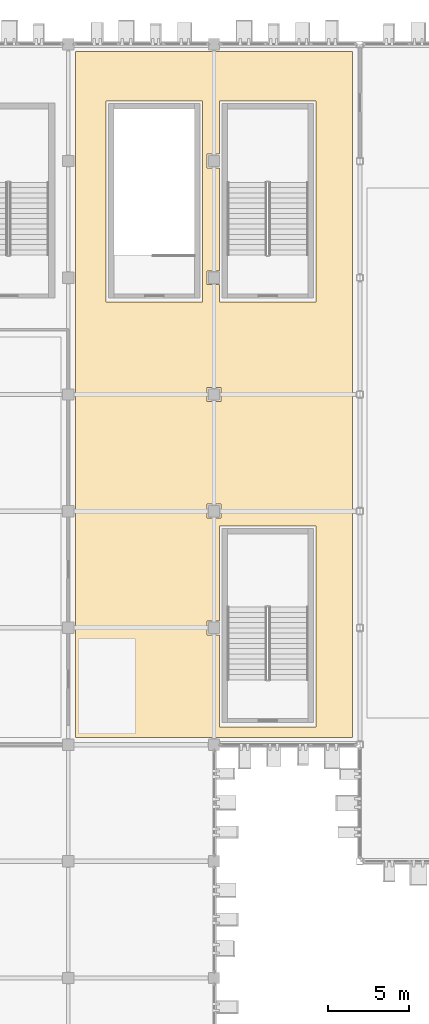
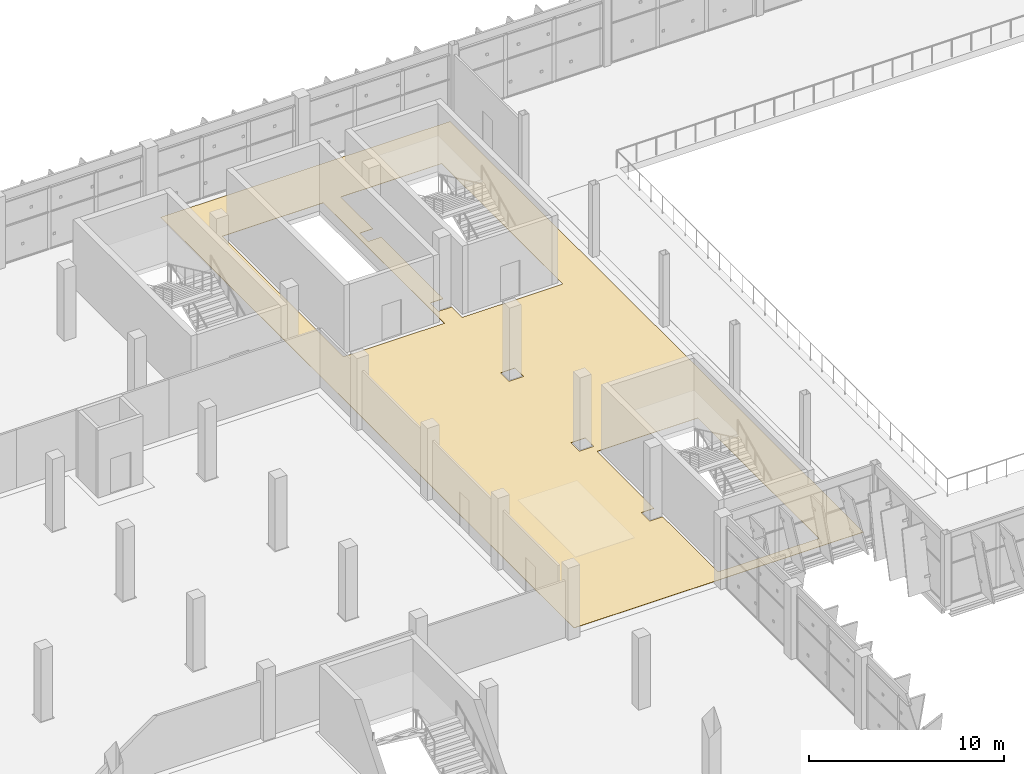
# One storey, part 148 of 151: 1 covering.
"""IFC4 building model written with IfcOpenShell, lengths in metres."""

import ifcopenshell
import ifcopenshell.guid

model = None  # the IFC model being written
_history = None  # IfcOwnerHistory: only IFC2X3 demands one
_inside = {}  # id of a spatial element -> (the spatial element, [elements in it])
_under = {}  # id of a project, library or spatial element -> (it, [spatial elements below it])
_declared = {}  # id of a project -> (the project, [libraries it declares])
_typed = {}  # id of a type object -> (the type object, [elements of that type])
_made_of = {}  # id of a material, layer set ... -> (it, [elements and type objects made of it])


def new_model(schema):
    """Start an empty IFC model of exactly this schema.

    Asked for "IFC4X3", IfcOpenShell would pick the latest addendum, in which some entities
    have other attributes; the version numbers below select the first issue.
    IFC2X3 requires an IfcOwnerHistory on every rooted entity: one is made here for all.
    """
    global model, _history
    if schema == "IFC4X3":
        model = ifcopenshell.file(schema_version=(4, 3, 0, 0))
    else:
        model = ifcopenshell.file(schema=schema)
    _inside.clear()
    _under.clear()
    _declared.clear()
    _typed.clear()
    _made_of.clear()
    _history = None
    if model.schema == "IFC2X3":
        org = make("IfcOrganization", Name="unknown")
        user = make(
            "IfcPersonAndOrganization",
            ThePerson=make("IfcPerson", FamilyName="unknown"),
            TheOrganization=org,
        )
        app = make(
            "IfcApplication",
            ApplicationDeveloper=org,
            Version="unknown",
            ApplicationFullName="unknown",
            ApplicationIdentifier="unknown",
        )
        _history = make(
            "IfcOwnerHistory",
            OwningUser=user,
            OwningApplication=app,
            ChangeAction="ADDED",
            CreationDate=0,
        )
    return model


def make(cls, **values):
    """One entity of the class cls with the attributes given. An attribute that is None is left unset."""
    return model.create_entity(
        cls, **{name: value for name, value in values.items() if value is not None}
    )


def rooted(cls, **values):
    """An entity with a GlobalId (a new one), such as an element, a storey or a relation."""
    return make(cls, GlobalId=ifcopenshell.guid.new(), OwnerHistory=_history, **values)


def si_unit(unit_type, name, prefix=None):
    """IfcSIUnit, for example si_unit("LENGTHUNIT", "METRE", prefix="MILLI")."""
    return make("IfcSIUnit", UnitType=unit_type, Prefix=prefix, Name=name)


def assignment(units):
    """IfcUnitAssignment: the units of a project."""
    return None if units is None else make("IfcUnitAssignment", Units=units)


def point(xyz):
    """IfcCartesianPoint."""
    return None if xyz is None else make("IfcCartesianPoint", Coordinates=xyz)


def direction(xyz):
    """IfcDirection."""
    return None if xyz is None else make("IfcDirection", DirectionRatios=xyz)


def frame(location, z_axis=None, x_axis=None):
    """IfcAxis2Placement3D, a coordinate frame: its origin and axes. An axis left out is left unset."""
    return make(
        "IfcAxis2Placement3D",
        Location=point(location),
        Axis=direction(z_axis),
        RefDirection=direction(x_axis),
    )


def origin():
    """The frame at (0, 0, 0) with its axes left unset."""
    return frame((0.0, 0.0, 0.0))


def place(relative_to, where):
    """IfcLocalPlacement: puts the frame where relative to a parent placement (None: the world)."""
    return make(
        "IfcLocalPlacement", PlacementRelTo=relative_to, RelativePlacement=where
    )


def context(
    kind, dimensions, precision=None, world=None, true_north=None, identifier=None
):
    """IfcGeometricRepresentationContext, for example the 3D "Model" context."""
    return make(
        "IfcGeometricRepresentationContext",
        ContextIdentifier=identifier,
        ContextType=kind,
        CoordinateSpaceDimension=dimensions,
        Precision=precision,
        WorldCoordinateSystem=world,
        TrueNorth=true_north,
    )


def subcontext(parent, identifier, kind, view, scale=None):
    """IfcGeometricRepresentationSubContext, for example "Body" below "Model"."""
    return make(
        "IfcGeometricRepresentationSubContext",
        ContextIdentifier=identifier,
        ContextType=kind,
        ParentContext=parent,
        TargetScale=scale,
        TargetView=view,
    )


def project(units=None, contexts=None):
    """IfcProject with its units and contexts."""
    return rooted(
        "IfcProject",
        Name="project",
        RepresentationContexts=contexts,
        UnitsInContext=assignment(units),
    )


def spatial(cls, under=None, at=None, **own):
    """A site, building, storey or space (cls), placed at a placement, below another one or the project."""
    s = rooted(cls, ObjectPlacement=at, **own)
    if under is not None:
        _under.setdefault(under.id(), (under, []))[1].append(s)
    return s


def polyline(points):
    """IfcPolyline through the points."""
    return make("IfcPolyline", Points=[point(p) for p in points])


def outline(outer, holes=None, kind="AREA"):
    """IfcArbitraryClosedProfileDef: a profile drawn as a closed curve; with holes, ...WithVoids."""
    if holes is None:
        return make("IfcArbitraryClosedProfileDef", ProfileType=kind, OuterCurve=outer)
    return make(
        "IfcArbitraryProfileDefWithVoids",
        ProfileType=kind,
        OuterCurve=outer,
        InnerCurves=holes,
    )


def extrude(swept, where, along, depth):
    """IfcExtrudedAreaSolid: the profile swept, set in the frame where, extruded along a direction by depth."""
    return make(
        "IfcExtrudedAreaSolid",
        SweptArea=swept,
        Position=where,
        ExtrudedDirection=direction(along),
        Depth=depth,
    )


def shape(context_of_items, identifier, shape_type, items):
    """IfcShapeRepresentation: the items that make up one representation, for example the "Body"."""
    return make(
        "IfcShapeRepresentation",
        ContextOfItems=context_of_items,
        RepresentationIdentifier=identifier,
        RepresentationType=shape_type,
        Items=items,
    )


def material(Name=None, Category=None):
    """IfcMaterial."""
    return make("IfcMaterial", Name=Name, Category=Category)


def layer(
    of_material, thickness, ventilated=None, Name=None, Category=None, Priority=None
):
    """IfcMaterialLayer: one layer of a wall or slab, of a material (None: an air gap)."""
    return make(
        "IfcMaterialLayer",
        Material=of_material,
        LayerThickness=thickness,
        IsVentilated=ventilated,
        Name=Name,
        Category=Category,
        Priority=Priority,
    )


def layer_set(layers, Name=None):
    """IfcMaterialLayerSet."""
    return make("IfcMaterialLayerSet", MaterialLayers=layers, LayerSetName=Name)


def made_of(thing, what):
    """Note that an element or type object is made of a material, layer set ...; save() writes the relation."""
    if what is not None:
        _made_of.setdefault(what.id(), (what, []))[1].append(thing)
    return thing


def type_object(cls, material=None, **own):
    """A type object (cls), such as IfcWallType, which elements share."""
    return made_of(rooted(cls, **own), material)


def element(
    cls,
    number,
    at=None,
    inside=None,
    cuts=None,
    type_object=None,
    material=None,
    context=None,
    identifier="Body",
    shape_type=None,
    held_by="IfcProductDefinitionShape",
    body=None,
    shapes=None,
    **own,
):
    """One element of the class cls, such as IfcWall. Its Tag is "e" and its number.

    at: its placement. inside: the storey or other place that contains it. cuts: it is an
    opening in that element (IfcRelVoidsElement). A single representation is given by context,
    identifier, shape_type and body (its items); several are given by shapes. held_by: the class
    of the entity that holds the representations. save() writes the other relations.
    """
    e = rooted(cls, Tag="e%d" % number, ObjectPlacement=at, **own)
    if body is not None:
        shapes = [shape(context, identifier, shape_type, body)]
    if shapes is not None:
        e.Representation = make(held_by, Representations=shapes)
    if inside is not None:
        _inside.setdefault(inside.id(), (inside, []))[1].append(e)
    if cuts is not None:
        rooted(
            "IfcRelVoidsElement", RelatingBuildingElement=cuts, RelatedOpeningElement=e
        )
    if type_object is not None:
        _typed.setdefault(type_object.id(), (type_object, []))[1].append(e)
    return made_of(e, material)


def aggregate(whole, parts):
    """IfcRelAggregates: a whole, such as a stair, and the parts it consists of."""
    return rooted("IfcRelAggregates", RelatingObject=whole, RelatedObjects=parts)


def save(model, path):
    """Write the relations noted so far, then the file.

    IfcRelAggregates (storeys below a building ...), IfcRelContainedInSpatialStructure (elements
    in a storey), IfcRelDefinesByType, IfcRelAssociatesMaterial and IfcRelDeclares: one each for
    every whole, place, type object, material and project.
    """
    for whole, parts in _under.values():
        aggregate(whole, parts)
    for where, things in _inside.values():
        rooted(
            "IfcRelContainedInSpatialStructure",
            RelatedElements=things,
            RelatingStructure=where,
        )
    for kind, things in _typed.values():
        rooted("IfcRelDefinesByType", RelatedObjects=things, RelatingType=kind)
    for what, things in _made_of.values():
        rooted("IfcRelAssociatesMaterial", RelatedObjects=things, RelatingMaterial=what)
    for by, libraries in _declared.values():
        rooted("IfcRelDeclares", RelatingContext=by, RelatedDefinitions=libraries)
    model.write(path)


model = new_model("IFC4")

# Units and contexts
model_context = context("Model", 3, precision=1e-05, world=origin(), true_north=direction((0.0, 1.0)))
body_context = subcontext(model_context, "Body", "Model", "MODEL_VIEW")
ifc_project = project(units=[si_unit("LENGTHUNIT", "METRE"), si_unit("AREAUNIT", "SQUARE_METRE"), si_unit("VOLUMEUNIT", "CUBIC_METRE"), si_unit("PLANEANGLEUNIT", "RADIAN"), si_unit("MASSUNIT", "GRAM", prefix="KILO")], contexts=[model_context])

# Site, building, storey
site_placement = place(None, origin())
site = spatial("IfcSite", under=ifc_project, at=site_placement, CompositionType="ELEMENT")
building_placement = place(site_placement, origin())
building = spatial("IfcBuilding", under=site, at=building_placement, Name="Celestram Park Convention Centre", CompositionType="ELEMENT")
storey_placement = place(building_placement, frame((0.0, 0.0, 10.800048828125)))
storey = spatial("IfcBuildingStorey", under=building, at=storey_placement, Name="L02", CompositionType="ELEMENT", Elevation=10.800048828125)

# Covering
ifc_material = material(Name="Polished Lakefront Aggregate Terrazzo Flooring", Category="concrete")
ifc_layer = layer(ifc_material, 0.02001953125)
ifc_layer_set = layer_set([ifc_layer], Name="Polished Lakefront Aggregate Terrazzo Flooring")
covering_type = type_object("IfcCoveringType", Name="ARC-COV-FLR020", PredefinedType="FLOORING", material=ifc_layer_set)
covering_placement = place(storey_placement, origin())
element("IfcCovering", 1, at=covering_placement, inside=storey, type_object=covering_type, Name="Plenary Circle Pre-Function Gallery terrazzo flooring", PredefinedType="FLOORING", context=body_context, shape_type="SweptSolid", body=[
    extrude(outline(polyline([(152.550048828125, 165.14990234375), (152.550048828125, 122.85009765625), (135.449951171875, 122.85009765625), (135.449951171875, 165.14990234375), (152.550048828125, 165.14990234375)]), holes=[polyline([(150.300048828125, 135.89990234375), (144.340087890625, 135.89990234375), (144.340087890625, 130.028076171875), (143.572021484375, 130.028076171875), (143.572021484375, 129.172119140625), (144.340087890625, 129.172119140625), (144.340087890625, 123.5), (150.300048828125, 123.5), (150.300048828125, 135.89990234375)]), polyline([(143.300048828125, 162.10009765625), (137.340087890625, 162.10009765625), (137.340087890625, 149.699951171875), (143.300048828125, 149.699951171875), (143.300048828125, 162.10009765625)]), polyline([(150.300048828125, 149.699951171875), (150.300048828125, 162.10009765625), (144.340087890625, 162.10009765625), (144.340087890625, 158.827880859375), (143.572021484375, 158.827880859375), (143.572021484375, 157.971923828125), (144.340087890625, 157.971923828125), (144.340087890625, 151.6279296875), (143.572021484375, 151.6279296875), (143.572021484375, 150.77197265625), (144.340087890625, 150.77197265625), (144.340087890625, 149.699951171875), (150.300048828125, 149.699951171875)]), polyline([(144.427978515625, 137.22802734375), (143.572021484375, 137.22802734375), (143.572021484375, 136.3720703125), (144.427978515625, 136.3720703125), (144.427978515625, 137.22802734375)]), polyline([(144.427978515625, 144.427978515625), (143.572021484375, 144.427978515625), (143.572021484375, 143.572021484375), (144.427978515625, 143.572021484375), (144.427978515625, 144.427978515625)])]), origin(), (0.0, 0.0, 1.0), 0.02001953125),
])

save(model, "model.ifc")
